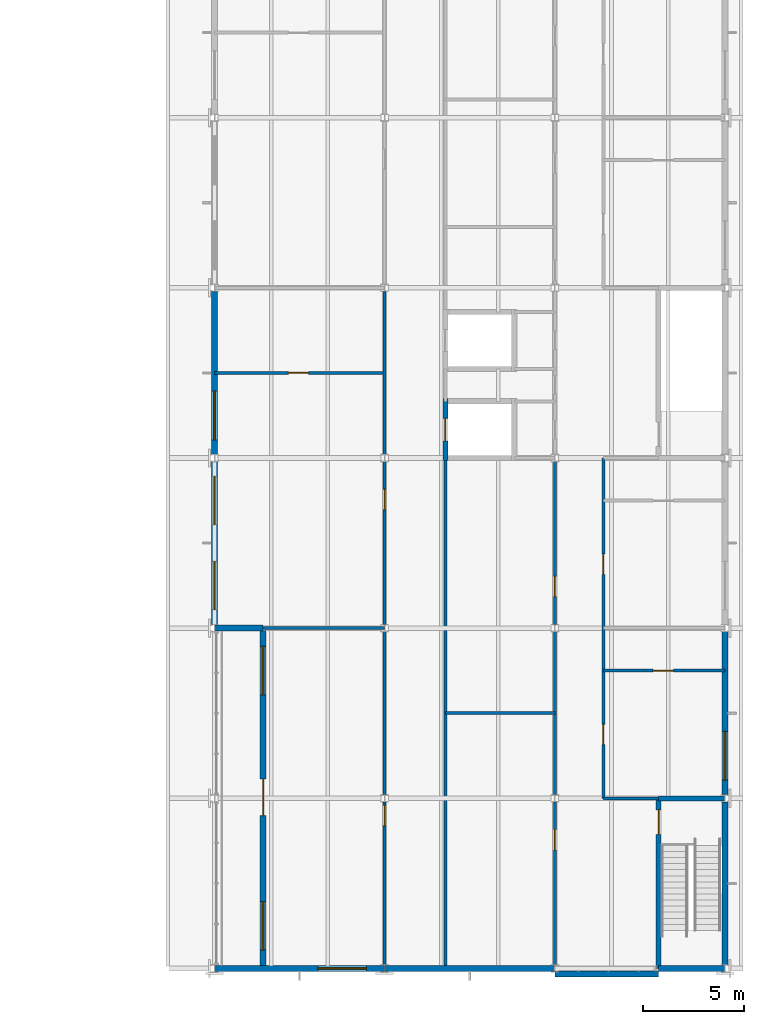
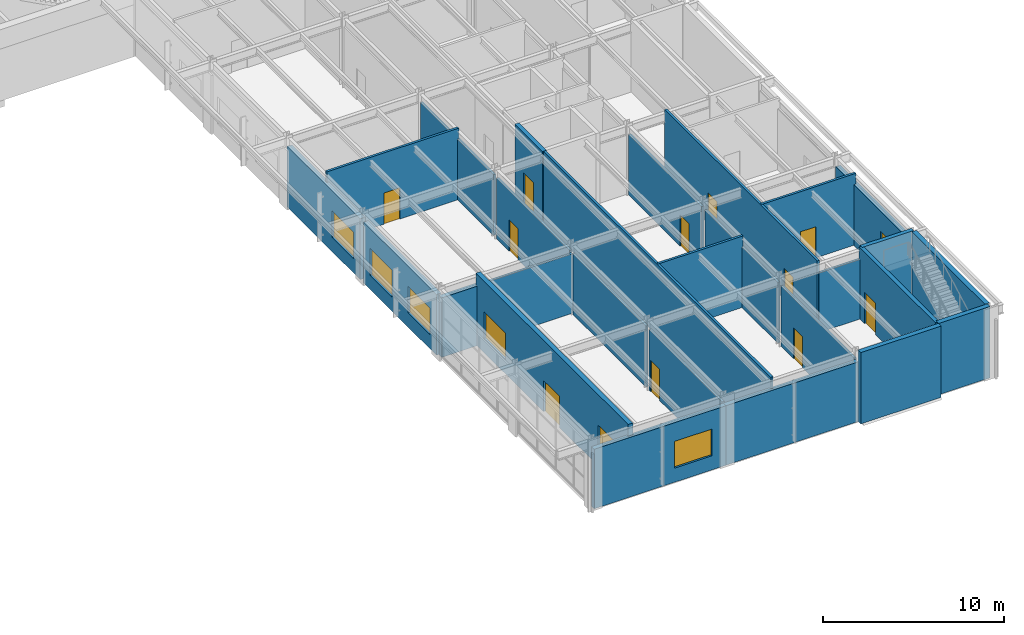
# One storey, part 72 of 116: 27 walls, 11 doors, 7 windows, 18 openings.
"""IFC4 building model written with IfcOpenShell, lengths in metres."""

from ifc_helpers import new_model, si_unit, direction, frame, frame_2d, origin, place, context, subcontext, project, spatial, rectangle, extrude, material, layer, layer_set, type_object, element, fill, save


model = new_model("IFC4")

# Units and contexts
model_context = context("Model", 3, precision=1e-05, world=origin(), true_north=direction((0.0, 1.0)))
body_context = subcontext(model_context, "Body", "Model", "MODEL_VIEW")
ifc_project = project(units=[si_unit("LENGTHUNIT", "METRE"), si_unit("AREAUNIT", "SQUARE_METRE"), si_unit("VOLUMEUNIT", "CUBIC_METRE"), si_unit("PLANEANGLEUNIT", "RADIAN"), si_unit("MASSUNIT", "GRAM", prefix="KILO")], contexts=[model_context])

# Site, building, storey
site_placement = place(None, origin())
site = spatial("IfcSite", under=ifc_project, at=site_placement, CompositionType="ELEMENT")
building_placement = place(site_placement, origin())
building = spatial("IfcBuilding", under=site, at=building_placement, Name="Ljudholm Concert House", CompositionType="ELEMENT")
storey_placement = place(building_placement, frame((0.0, 0.0, 10.199951171875)))
storey = spatial("IfcBuildingStorey", under=building, at=storey_placement, Name="L02", CompositionType="ELEMENT", Elevation=10.199951171875)

# Wall, opening, door
ifc_material_1 = material(Name="Gypsum board on steel studs", Category="steel")
ifc_layer_1 = layer(ifc_material_1, 0.14990234375)
ifc_layer_set_1 = layer_set([ifc_layer_1], Name="Gypsum board on steel studs")
wall_type_1 = type_object("IfcWallType", Name="GYPSUM PARTITION 150", PredefinedType="PARTITIONING", material=ifc_layer_set_1)
wall_1_placement = place(storey_placement, frame((104.800048828125, 4.177734375, 0.0), z_axis=(0.0, 0.0, 1.0), x_axis=(0.0, 1.0, 0.0)))
wall_1 = element("IfcWall", 1, at=wall_1_placement, inside=storey, type_object=wall_type_1, Name="Partition", PredefinedType="PARTITIONING", context=body_context, shape_type="SweptSolid", body=[
    extrude(rectangle(XDim=8.04443359375, YDim=0.14990234375, at=frame_2d((4.022216796875, 0.0))), origin(), (0.0, 0.0, 1.0), 4.086669921875),
])
opening_1_placement = place(wall_1_placement, frame((6.872314453125, 0.0, 0.0)))
opening_1 = element("IfcOpeningElement", 2, at=opening_1_placement, cuts=wall_1, Name="Opening D-W02-010", PredefinedType="OPENING", context=body_context, shape_type="SweptSolid", body=[
    extrude(rectangle(XDim=1.0, YDim=2.10009765625, at=frame_2d((0.5, 1.050048828125))), frame((0.0, 0.0849609375, 0.0), z_axis=(0.0, -1.0, 0.0), x_axis=(1.0, 0.0, 0.0)), (0.0, 0.0, 1.0), 0.169921875),
])
ifc_material_2 = material(Name="Hollow metal door in steel frame", Category="steel")
door_type_1 = type_object("IfcDoorType", Name="SWING DOOR 1000x2100", OperationType="SINGLE_SWING_LEFT", PredefinedType="DOOR", material=ifc_material_2)
door_1_placement = place(opening_1_placement, origin())
door_1 = element("IfcDoor", 3, at=door_1_placement, inside=storey, type_object=door_type_1, Name="Door", OperationType="SINGLE_SWING_LEFT", OverallHeight=2.10009765625, OverallWidth=1.0, PredefinedType="DOOR", context=body_context, shape_type="SweptSolid", body=[
    extrude(rectangle(XDim=1.0, YDim=2.10009765625, at=frame_2d((0.5, 1.050048828125))), frame((0.0, 0.02490234375, 0.0), z_axis=(0.0, -1.0, 0.0), x_axis=(1.0, 0.0, 0.0)), (0.0, 0.0, 1.0), 0.050048828125),
])
fill(opening_1, door_1)

# Wall
wall_2_placement = place(storey_placement, frame((104.800048828125, 12.577880859375, 0.0), z_axis=(0.0, 0.0, 1.0), x_axis=(0.0, 1.0, 0.0)))
element("IfcWall", 4, at=wall_2_placement, inside=storey, type_object=wall_type_1, Name="Partition", PredefinedType="PARTITIONING", context=body_context, shape_type="SweptSolid", body=[
    extrude(rectangle(XDim=8.04443359375, YDim=0.14990234375, at=frame_2d((4.022216796875, 0.0))), origin(), (0.0, 0.0, 1.0), 4.086669921875),
])

# Wall, opening, door
wall_3_placement = place(storey_placement, frame((104.800048828125, 20.977783203125, 0.0), z_axis=(0.0, 0.0, 1.0), x_axis=(0.0, 1.0, 0.0)))
wall_3 = element("IfcWall", 5, at=wall_3_placement, inside=storey, type_object=wall_type_1, Name="Partition", PredefinedType="PARTITIONING", context=body_context, shape_type="SweptSolid", body=[
    extrude(rectangle(XDim=8.04443359375, YDim=0.14990234375, at=frame_2d((4.022216796875, 0.0))), origin(), (0.0, 0.0, 1.0), 4.086669921875),
])
opening_2_placement = place(wall_3_placement, frame((5.672119140625, 0.0, 0.0)))
opening_2 = element("IfcOpeningElement", 6, at=opening_2_placement, cuts=wall_3, Name="Opening D-W02-011", PredefinedType="OPENING", context=body_context, shape_type="SweptSolid", body=[
    extrude(rectangle(XDim=1.0, YDim=2.10009765625, at=frame_2d((0.5, 1.050048828125))), frame((0.0, 0.0849609375, 0.0), z_axis=(0.0, -1.0, 0.0), x_axis=(1.0, 0.0, 0.0)), (0.0, 0.0, 1.0), 0.169921875),
])
door_2_placement = place(opening_2_placement, origin())
door_2 = element("IfcDoor", 7, at=door_2_placement, inside=storey, type_object=door_type_1, Name="Door", OperationType="SINGLE_SWING_LEFT", OverallHeight=2.10009765625, OverallWidth=1.0, PredefinedType="DOOR", context=body_context, shape_type="SweptSolid", body=[
    extrude(rectangle(XDim=1.0, YDim=2.10009765625, at=frame_2d((0.5, 1.050048828125))), frame((0.0, 0.02490234375, 0.0), z_axis=(0.0, -1.0, 0.0), x_axis=(1.0, 0.0, 0.0)), (0.0, 0.0, 1.0), 0.050048828125),
])
fill(opening_2, door_2)

# Walls
wall_4_placement = place(storey_placement, frame((104.800048828125, 29.377685546875, 0.0), z_axis=(0.0, 0.0, 1.0), x_axis=(0.0, 1.0, 0.0)))
element("IfcWall", 8, at=wall_4_placement, inside=storey, type_object=wall_type_1, Name="Partition", PredefinedType="PARTITIONING", context=body_context, shape_type="SweptSolid", body=[
    extrude(rectangle(XDim=8.04443359375, YDim=0.14990234375, at=frame_2d((4.022216796875, 0.0))), origin(), (0.0, 0.0, 1.0), 4.086669921875),
])
wall_5_placement = place(storey_placement, frame((107.800048828125, 4.0, 0.0), z_axis=(0.0, 0.0, 1.0), x_axis=(0.0, 1.0, 0.0)))
element("IfcWall", 9, at=wall_5_placement, inside=storey, type_object=wall_type_1, Name="Partition", PredefinedType="PARTITIONING", context=body_context, shape_type="SweptSolid", body=[
    extrude(rectangle(XDim=25.199951171875, YDim=0.14990234375, at=frame_2d((12.60009765625, 0.0))), origin(), (0.0, 0.0, 1.0), 4.800048828125),
])

# Wall, opening, door
wall_6_placement = place(storey_placement, frame((113.199951171875, 4.177734375, 0.0), z_axis=(0.0, 0.0, 1.0), x_axis=(0.0, 1.0, 0.0)))
wall_6 = element("IfcWall", 10, at=wall_6_placement, inside=storey, type_object=wall_type_1, Name="Partition", PredefinedType="PARTITIONING", context=body_context, shape_type="SweptSolid", body=[
    extrude(rectangle(XDim=8.04443359375, YDim=0.14990234375, at=frame_2d((4.022216796875, 0.0))), origin(), (0.0, 0.0, 1.0), 4.086669921875),
])
opening_3_placement = place(wall_6_placement, frame((5.672119140625, 0.0, 0.0)))
opening_3 = element("IfcOpeningElement", 11, at=opening_3_placement, cuts=wall_6, Name="Opening D-W02-023", PredefinedType="OPENING", context=body_context, shape_type="SweptSolid", body=[
    extrude(rectangle(XDim=1.0, YDim=2.10009765625, at=frame_2d((0.5, 1.050048828125))), frame((0.0, 0.0849609375, 0.0), z_axis=(0.0, -1.0, 0.0), x_axis=(1.0, 0.0, 0.0)), (0.0, 0.0, 1.0), 0.169921875),
])
door_3_placement = place(opening_3_placement, origin())
door_3 = element("IfcDoor", 12, at=door_3_placement, inside=storey, type_object=door_type_1, Name="Door", OperationType="SINGLE_SWING_RIGHT", OverallHeight=2.10009765625, OverallWidth=1.0, PredefinedType="DOOR", context=body_context, shape_type="SweptSolid", body=[
    extrude(rectangle(XDim=1.0, YDim=2.10009765625, at=frame_2d((0.5, 1.050048828125))), frame((0.0, 0.02490234375, 0.0), z_axis=(0.0, -1.0, 0.0), x_axis=(1.0, 0.0, 0.0)), (0.0, 0.0, 1.0), 0.050048828125),
])
fill(opening_3, door_3)

# Wall
wall_7_placement = place(storey_placement, frame((113.199951171875, 12.577880859375, 0.0), z_axis=(0.0, 0.0, 1.0), x_axis=(0.0, 1.0, 0.0)))
element("IfcWall", 13, at=wall_7_placement, inside=storey, type_object=wall_type_1, Name="Partition", PredefinedType="PARTITIONING", context=body_context, shape_type="SweptSolid", body=[
    extrude(rectangle(XDim=8.04443359375, YDim=0.14990234375, at=frame_2d((4.022216796875, 0.0))), origin(), (0.0, 0.0, 1.0), 4.086669921875),
])

# Wall, opening, door
wall_8_placement = place(storey_placement, frame((113.199951171875, 20.977783203125, 0.0), z_axis=(0.0, 0.0, 1.0), x_axis=(0.0, 1.0, 0.0)))
wall_8 = element("IfcWall", 14, at=wall_8_placement, inside=storey, type_object=wall_type_1, Name="Partition", PredefinedType="PARTITIONING", context=body_context, shape_type="SweptSolid", body=[
    extrude(rectangle(XDim=8.04443359375, YDim=0.14990234375, at=frame_2d((4.022216796875, 0.0))), origin(), (0.0, 0.0, 1.0), 4.086669921875),
])
opening_4_placement = place(wall_8_placement, frame((1.372314453125, 0.0, 0.0)))
opening_4 = element("IfcOpeningElement", 15, at=opening_4_placement, cuts=wall_8, Name="Opening D-W02-024", PredefinedType="OPENING", context=body_context, shape_type="SweptSolid", body=[
    extrude(rectangle(XDim=1.0, YDim=2.10009765625, at=frame_2d((0.5, 1.050048828125))), frame((0.0, 0.0849609375, 0.0), z_axis=(0.0, -1.0, 0.0), x_axis=(1.0, 0.0, 0.0)), (0.0, 0.0, 1.0), 0.169921875),
])
door_4_placement = place(opening_4_placement, origin())
door_4 = element("IfcDoor", 16, at=door_4_placement, inside=storey, type_object=door_type_1, Name="Door", OperationType="SINGLE_SWING_LEFT", OverallHeight=2.10009765625, OverallWidth=1.0, PredefinedType="DOOR", context=body_context, shape_type="SweptSolid", body=[
    extrude(rectangle(XDim=1.0, YDim=2.10009765625, at=frame_2d((0.5, 1.050048828125))), frame((0.0, 0.02490234375, 0.0), z_axis=(0.0, -1.0, 0.0), x_axis=(1.0, 0.0, 0.0)), (0.0, 0.0, 1.0), 0.050048828125),
])
fill(opening_4, door_4)

# Wall, openings, doors
wall_9_placement = place(storey_placement, frame((115.60009765625, 12.39990234375, 0.0), z_axis=(0.0, 0.0, 1.0), x_axis=(0.0, 1.0, 0.0)))
wall_9 = element("IfcWall", 17, at=wall_9_placement, inside=storey, type_object=wall_type_1, Name="Partition", PredefinedType="PARTITIONING", context=body_context, shape_type="SweptSolid", body=[
    extrude(rectangle(XDim=16.800048828125, YDim=0.14990234375, at=frame_2d((8.39990234375, 0.0))), origin(), (0.0, 0.0, 1.0), 4.800048828125),
])
opening_5_placement = place(wall_9_placement, frame((2.64990234375, 0.0, 0.0)))
opening_5 = element("IfcOpeningElement", 18, at=opening_5_placement, cuts=wall_9, Name="Opening D-W02-034", PredefinedType="OPENING", context=body_context, shape_type="SweptSolid", body=[
    extrude(rectangle(XDim=1.0, YDim=2.10009765625, at=frame_2d((0.5, 1.050048828125))), frame((0.0, 0.0849609375, 0.0), z_axis=(0.0, -1.0, 0.0), x_axis=(1.0, 0.0, 0.0)), (0.0, 0.0, 1.0), 0.169921875),
])
opening_6_placement = place(wall_9_placement, frame((11.050048828125, 0.0, 0.0)))
opening_6 = element("IfcOpeningElement", 19, at=opening_6_placement, cuts=wall_9, Name="Opening D-W02-036", PredefinedType="OPENING", context=body_context, shape_type="SweptSolid", body=[
    extrude(rectangle(XDim=1.0, YDim=2.10009765625, at=frame_2d((0.5, 1.050048828125))), frame((0.0, 0.0849609375, 0.0), z_axis=(0.0, -1.0, 0.0), x_axis=(1.0, 0.0, 0.0)), (0.0, 0.0, 1.0), 0.169921875),
])
door_5_placement = place(opening_5_placement, frame((1.0, 0.0, 0.0), z_axis=(0.0, 0.0, 1.0), x_axis=(-1.0, 0.0, 0.0)))
door_5 = element("IfcDoor", 20, at=door_5_placement, inside=storey, type_object=door_type_1, Name="Door", OperationType="SINGLE_SWING_RIGHT", OverallHeight=2.10009765625, OverallWidth=1.0, PredefinedType="DOOR", context=body_context, shape_type="SweptSolid", body=[
    extrude(rectangle(XDim=1.0, YDim=2.10009765625, at=frame_2d((0.5, 1.050048828125))), frame((0.0, 0.02490234375, 0.0), z_axis=(0.0, -1.0, 0.0), x_axis=(1.0, 0.0, 0.0)), (0.0, 0.0, 1.0), 0.050048828125),
])
fill(opening_5, door_5)
door_6_placement = place(opening_6_placement, frame((1.0, 0.0, 0.0), z_axis=(0.0, 0.0, 1.0), x_axis=(-1.0, 0.0, 0.0)))
door_6 = element("IfcDoor", 21, at=door_6_placement, inside=storey, type_object=door_type_1, Name="Door", OperationType="SINGLE_SWING_LEFT", OverallHeight=2.10009765625, OverallWidth=1.0, PredefinedType="DOOR", context=body_context, shape_type="SweptSolid", body=[
    extrude(rectangle(XDim=1.0, YDim=2.10009765625, at=frame_2d((0.5, 1.050048828125))), frame((0.0, 0.02490234375, 0.0), z_axis=(0.0, -1.0, 0.0), x_axis=(1.0, 0.0, 0.0)), (0.0, 0.0, 1.0), 0.050048828125),
])
fill(opening_6, door_6)

# Walls
wall_10_placement = place(storey_placement, frame((115.60009765625, 12.39990234375, 0.0), z_axis=(0.0, 0.0, 1.0), x_axis=(1.0, 0.0, 0.0)))
element("IfcWall", 22, at=wall_10_placement, inside=storey, type_object=wall_type_1, Name="Partition", PredefinedType="PARTITIONING", context=body_context, shape_type="SweptSolid", body=[
    extrude(rectangle(XDim=2.724853515625, YDim=0.14990234375, at=frame_2d((1.3623046875, 0.0))), origin(), (0.0, 0.0, 1.0), 4.008056640625),
])
wall_11_placement = place(storey_placement, frame((107.800048828125, 16.60009765625, 0.0), z_axis=(0.0, 0.0, 1.0), x_axis=(1.0, 0.0, 0.0)))
element("IfcWall", 23, at=wall_11_placement, inside=storey, type_object=wall_type_1, Name="Partition", PredefinedType="PARTITIONING", context=body_context, shape_type="SweptSolid", body=[
    extrude(rectangle(XDim=5.39990234375, YDim=0.14990234375, at=frame_2d((2.699951171875, 0.0))), origin(), (0.0, 0.0, 1.0), 4.800048828125),
])

# Wall, opening, door
wall_12_placement = place(storey_placement, frame((115.60009765625, 18.699951171875, 0.0), z_axis=(0.0, 0.0, 1.0), x_axis=(1.0, 0.0, 0.0)))
wall_12 = element("IfcWall", 24, at=wall_12_placement, inside=storey, type_object=wall_type_1, Name="Partition", PredefinedType="PARTITIONING", context=body_context, shape_type="SweptSolid", body=[
    extrude(rectangle(XDim=6.0, YDim=0.14990234375, at=frame_2d((3.0, 0.0))), origin(), (0.0, 0.0, 1.0), 4.800048828125),
])
opening_7_placement = place(wall_12_placement, frame((2.449951171875, 0.0, 0.0)))
opening_7 = element("IfcOpeningElement", 25, at=opening_7_placement, cuts=wall_12, Name="Opening D-W02-035", PredefinedType="OPENING", context=body_context, shape_type="SweptSolid", body=[
    extrude(rectangle(XDim=1.0, YDim=2.10009765625, at=frame_2d((0.5, 1.050048828125))), frame((0.0, 0.0849609375, 0.0), z_axis=(0.0, -1.0, 0.0), x_axis=(1.0, 0.0, 0.0)), (0.0, 0.0, 1.0), 0.169921875),
])
door_7_placement = place(opening_7_placement, origin())
door_7 = element("IfcDoor", 26, at=door_7_placement, inside=storey, type_object=door_type_1, Name="Door", OperationType="SINGLE_SWING_RIGHT", OverallHeight=2.10009765625, OverallWidth=1.0, PredefinedType="DOOR", context=body_context, shape_type="SweptSolid", body=[
    extrude(rectangle(XDim=1.0, YDim=2.10009765625, at=frame_2d((0.5, 1.050048828125))), frame((0.0, 0.02490234375, 0.0), z_axis=(0.0, -1.0, 0.0), x_axis=(1.0, 0.0, 0.0)), (0.0, 0.0, 1.0), 0.050048828125),
])
fill(opening_7, door_7)

# Wall
wall_13_placement = place(storey_placement, frame((98.800048828125, 20.800048828125, 0.0), z_axis=(0.0, 0.0, 1.0), x_axis=(1.0, 0.0, 0.0)))
element("IfcWall", 27, at=wall_13_placement, inside=storey, type_object=wall_type_1, Name="Partition", PredefinedType="PARTITIONING", context=body_context, shape_type="SweptSolid", body=[
    extrude(rectangle(XDim=5.994384765625, YDim=0.14990234375, at=frame_2d((2.9970703125, 0.0))), origin(), (0.0, 0.0, 1.0), 4.008056640625),
])

# Wall, opening, door
wall_14_placement = place(storey_placement, frame((96.39990234375, 33.39990234375, 0.0), z_axis=(0.0, 0.0, 1.0), x_axis=(1.0, 0.0, 0.0)))
wall_14 = element("IfcWall", 28, at=wall_14_placement, inside=storey, type_object=wall_type_1, Name="Partition", PredefinedType="PARTITIONING", context=body_context, shape_type="SweptSolid", body=[
    extrude(rectangle(XDim=8.400146484375, YDim=0.14990234375, at=frame_2d((4.2001953125, 0.0))), origin(), (0.0, 0.0, 1.0), 4.800048828125),
])
opening_8_placement = place(wall_14_placement, frame((3.64990234375, 0.0, 0.0)))
opening_8 = element("IfcOpeningElement", 29, at=opening_8_placement, cuts=wall_14, Name="Opening D-W02-012", PredefinedType="OPENING", context=body_context, shape_type="SweptSolid", body=[
    extrude(rectangle(XDim=1.0, YDim=2.10009765625, at=frame_2d((0.5, 1.050048828125))), frame((0.0, 0.0849609375, 0.0), z_axis=(0.0, -1.0, 0.0), x_axis=(1.0, 0.0, 0.0)), (0.0, 0.0, 1.0), 0.169921875),
])
door_8_placement = place(opening_8_placement, origin())
door_8 = element("IfcDoor", 30, at=door_8_placement, inside=storey, type_object=door_type_1, Name="Door", OperationType="SINGLE_SWING_LEFT", OverallHeight=2.10009765625, OverallWidth=1.0, PredefinedType="DOOR", context=body_context, shape_type="SweptSolid", body=[
    extrude(rectangle(XDim=1.0, YDim=2.10009765625, at=frame_2d((0.5, 1.050048828125))), frame((0.0, 0.02490234375, 0.0), z_axis=(0.0, -1.0, 0.0), x_axis=(1.0, 0.0, 0.0)), (0.0, 0.0, 1.0), 0.050048828125),
])
fill(opening_8, door_8)

# Wall, openings, windows
ifc_material_3 = material(Name="Precast concrete 5,000 psi", Category="concrete")
ifc_layer_2 = layer(ifc_material_3, 0.300048828125)
ifc_layer_set_2 = layer_set([ifc_layer_2], Name="Precast concrete 5,000 psi")
wall_type_2 = type_object("IfcWallType", Name="PRECAST PANEL WALL 300", PredefinedType="SOLIDWALL", material=ifc_layer_set_2)
wall_15_placement = place(storey_placement, frame((96.39990234375, 20.977783203125, 0.0), z_axis=(0.0, 0.0, 1.0), x_axis=(0.0, 1.0, 0.0)))
wall_15 = element("IfcWall", 31, at=wall_15_placement, inside=storey, type_object=wall_type_2, Name="Facade wall", PredefinedType="SOLIDWALL", context=body_context, shape_type="SweptSolid", body=[
    extrude(rectangle(XDim=8.04443359375, YDim=0.300048828125, at=frame_2d((4.022216796875, 0.0))), origin(), (0.0, 0.0, 1.0), 4.086669921875),
])
opening_9_placement = place(wall_15_placement, frame((0.72216796875, 0.0, 0.949951171875)))
opening_9 = element("IfcOpeningElement", 32, at=opening_9_placement, cuts=wall_15, Name="Opening X-W02-002", PredefinedType="OPENING", context=body_context, shape_type="SweptSolid", body=[
    extrude(rectangle(XDim=2.39990234375, YDim=1.800048828125, at=frame_2d((1.199951171875, 0.89990234375))), frame((0.0, 0.159912109375, 0.0), z_axis=(0.0, -1.0, 0.0), x_axis=(1.0, 0.0, 0.0)), (0.0, 0.0, 1.0), 0.320068359375),
])
opening_10_placement = place(wall_15_placement, frame((4.922119140625, 0.0, 0.949951171875)))
opening_10 = element("IfcOpeningElement", 33, at=opening_10_placement, cuts=wall_15, Name="Opening X-W02-003", PredefinedType="OPENING", context=body_context, shape_type="SweptSolid", body=[
    extrude(rectangle(XDim=2.39990234375, YDim=1.800048828125, at=frame_2d((1.199951171875, 0.89990234375))), frame((0.0, 0.159912109375, 0.0), z_axis=(0.0, -1.0, 0.0), x_axis=(1.0, 0.0, 0.0)), (0.0, 0.0, 1.0), 0.320068359375),
])
ifc_material_4 = material(Name="Aluminium frame, impact glazing", Category="aluminium")
window_type = type_object("IfcWindowType", Name="CASEMENT WINDOW 2400x1800", PartitioningType="DOUBLE_PANEL_VERTICAL", PredefinedType="WINDOW", material=ifc_material_4)
window_1_placement = place(opening_9_placement, origin())
window_1 = element("IfcWindow", 34, at=window_1_placement, inside=storey, type_object=window_type, Name="Window", OverallHeight=1.800048828125, OverallWidth=2.39990234375, PartitioningType="DOUBLE_PANEL_VERTICAL", PredefinedType="WINDOW", context=body_context, shape_type="SweptSolid", body=[
    extrude(rectangle(XDim=2.39990234375, YDim=1.800048828125, at=frame_2d((1.199951171875, 0.89990234375))), frame((0.0, 0.030029296875, 0.0), z_axis=(0.0, -1.0, 0.0), x_axis=(1.0, 0.0, 0.0)), (0.0, 0.0, 1.0), 0.06005859375),
])
fill(opening_9, window_1)
window_2_placement = place(opening_10_placement, origin())
window_2 = element("IfcWindow", 35, at=window_2_placement, inside=storey, type_object=window_type, Name="Window", OverallHeight=1.800048828125, OverallWidth=2.39990234375, PartitioningType="DOUBLE_PANEL_VERTICAL", PredefinedType="WINDOW", context=body_context, shape_type="SweptSolid", body=[
    extrude(rectangle(XDim=2.39990234375, YDim=1.800048828125, at=frame_2d((1.199951171875, 0.89990234375))), frame((0.0, 0.030029296875, 0.0), z_axis=(0.0, -1.0, 0.0), x_axis=(1.0, 0.0, 0.0)), (0.0, 0.0, 1.0), 0.06005859375),
])
fill(opening_10, window_2)

# Wall, opening, window
wall_16_placement = place(storey_placement, frame((96.39990234375, 29.377685546875, 0.0), z_axis=(0.0, 0.0, 1.0), x_axis=(0.0, 1.0, 0.0)))
wall_16 = element("IfcWall", 36, at=wall_16_placement, inside=storey, type_object=wall_type_2, Name="Facade wall", PredefinedType="SOLIDWALL", context=body_context, shape_type="SweptSolid", body=[
    extrude(rectangle(XDim=8.04443359375, YDim=0.300048828125, at=frame_2d((4.022216796875, 0.0))), origin(), (0.0, 0.0, 1.0), 4.086669921875),
])
opening_11_placement = place(wall_16_placement, frame((0.72216796875, 0.0, 0.949951171875)))
opening_11 = element("IfcOpeningElement", 37, at=opening_11_placement, cuts=wall_16, Name="Opening X-W02-004", PredefinedType="OPENING", context=body_context, shape_type="SweptSolid", body=[
    extrude(rectangle(XDim=2.39990234375, YDim=1.800048828125, at=frame_2d((1.199951171875, 0.89990234375))), frame((0.0, 0.159912109375, 0.0), z_axis=(0.0, -1.0, 0.0), x_axis=(1.0, 0.0, 0.0)), (0.0, 0.0, 1.0), 0.320068359375),
])
window_3_placement = place(opening_11_placement, origin())
window_3 = element("IfcWindow", 38, at=window_3_placement, inside=storey, type_object=window_type, Name="Window", OverallHeight=1.800048828125, OverallWidth=2.39990234375, PartitioningType="DOUBLE_PANEL_VERTICAL", PredefinedType="WINDOW", context=body_context, shape_type="SweptSolid", body=[
    extrude(rectangle(XDim=2.39990234375, YDim=1.800048828125, at=frame_2d((1.199951171875, 0.89990234375))), frame((0.0, 0.030029296875, 0.0), z_axis=(0.0, -1.0, 0.0), x_axis=(1.0, 0.0, 0.0)), (0.0, 0.0, 1.0), 0.06005859375),
])
fill(opening_11, window_3)

wall_17_placement = place(storey_placement, frame((121.60009765625, 12.577880859375, 0.0), z_axis=(0.0, 0.0, 1.0), x_axis=(0.0, 1.0, 0.0)))
wall_17 = element("IfcWall", 39, at=wall_17_placement, inside=storey, type_object=wall_type_2, Name="Facade wall", PredefinedType="SOLIDWALL", context=body_context, shape_type="SweptSolid", body=[
    extrude(rectangle(XDim=8.04443359375, YDim=0.300048828125, at=frame_2d((4.022216796875, 0.0))), origin(), (0.0, 0.0, 1.0), 4.086669921875),
])
opening_12_placement = place(wall_17_placement, frame((0.72216796875, 0.0, 0.949951171875)))
opening_12 = element("IfcOpeningElement", 40, at=opening_12_placement, cuts=wall_17, Name="Opening X-W02-008", PredefinedType="OPENING", context=body_context, shape_type="SweptSolid", body=[
    extrude(rectangle(XDim=2.39990234375, YDim=1.800048828125, at=frame_2d((1.199951171875, 0.89990234375))), frame((0.0, 0.159912109375, 0.0), z_axis=(0.0, -1.0, 0.0), x_axis=(1.0, 0.0, 0.0)), (0.0, 0.0, 1.0), 0.320068359375),
])
window_4_placement = place(opening_12_placement, origin())
window_4 = element("IfcWindow", 41, at=window_4_placement, inside=storey, type_object=window_type, Name="Window", OverallHeight=1.800048828125, OverallWidth=2.39990234375, PartitioningType="DOUBLE_PANEL_VERTICAL", PredefinedType="WINDOW", context=body_context, shape_type="SweptSolid", body=[
    extrude(rectangle(XDim=2.39990234375, YDim=1.800048828125, at=frame_2d((1.199951171875, 0.89990234375))), frame((0.0, 0.030029296875, 0.0), z_axis=(0.0, -1.0, 0.0), x_axis=(1.0, 0.0, 0.0)), (0.0, 0.0, 1.0), 0.06005859375),
])
fill(opening_12, window_4)

wall_18_placement = place(storey_placement, frame((96.405517578125, 4.0, 0.0), z_axis=(0.0, 0.0, 1.0), x_axis=(1.0, 0.0, 0.0)))
wall_18 = element("IfcWall", 42, at=wall_18_placement, inside=storey, type_object=wall_type_2, Name="Facade wall", PredefinedType="SOLIDWALL", context=body_context, shape_type="SweptSolid", body=[
    extrude(rectangle(XDim=8.400146484375, YDim=0.300048828125, at=frame_2d((4.2001953125, 0.0))), origin(), (0.0, 0.0, 1.0), 4.008056640625),
])
opening_13_placement = place(wall_18_placement, frame((5.094482421875, 0.0, 0.949951171875)))
opening_13 = element("IfcOpeningElement", 43, at=opening_13_placement, cuts=wall_18, Name="Opening X-W02-001", PredefinedType="OPENING", context=body_context, shape_type="SweptSolid", body=[
    extrude(rectangle(XDim=2.39990234375, YDim=1.800048828125, at=frame_2d((1.199951171875, 0.89990234375))), frame((0.0, 0.159912109375, 0.0), z_axis=(0.0, -1.0, 0.0), x_axis=(1.0, 0.0, 0.0)), (0.0, 0.0, 1.0), 0.320068359375),
])
window_5_placement = place(opening_13_placement, origin())
window_5 = element("IfcWindow", 44, at=window_5_placement, inside=storey, type_object=window_type, Name="Window", OverallHeight=1.800048828125, OverallWidth=2.39990234375, PartitioningType="DOUBLE_PANEL_VERTICAL", PredefinedType="WINDOW", context=body_context, shape_type="SweptSolid", body=[
    extrude(rectangle(XDim=2.39990234375, YDim=1.800048828125, at=frame_2d((1.199951171875, 0.89990234375))), frame((0.0, 0.030029296875, 0.0), z_axis=(0.0, -1.0, 0.0), x_axis=(1.0, 0.0, 0.0)), (0.0, 0.0, 1.0), 0.06005859375),
])
fill(opening_13, window_5)

# Walls
wall_19_placement = place(storey_placement, frame((104.79443359375, 4.0, 0.0), z_axis=(0.0, 0.0, 1.0), x_axis=(1.0, 0.0, 0.0)))
element("IfcWall", 45, at=wall_19_placement, inside=storey, type_object=wall_type_2, Name="Facade wall", PredefinedType="SOLIDWALL", context=body_context, shape_type="SweptSolid", body=[
    extrude(rectangle(XDim=8.39990234375, YDim=0.300048828125, at=frame_2d((4.199951171875, 0.0))), origin(), (0.0, 0.0, 1.0), 4.008056640625),
])
wall_20_placement = place(storey_placement, frame((113.20556640625, 3.720458984375, 0.0), z_axis=(0.0, 0.0, 1.0), x_axis=(1.0, 0.0, 0.0)))
element("IfcWall", 46, at=wall_20_placement, inside=storey, type_object=wall_type_2, Name="Facade wall (braced bay)", PredefinedType="SOLIDWALL", context=body_context, shape_type="SweptSolid", body=[
    extrude(rectangle(XDim=5.119384765625, YDim=0.300048828125, at=frame_2d((2.5595703125, 0.0))), origin(), (0.0, 0.0, 1.0), 4.800048828125),
])

# Wall, openings, windows, door
wall_21_placement = place(storey_placement, frame((98.800048828125, 4.0, 0.0), z_axis=(0.0, 0.0, 1.0), x_axis=(0.0, 1.0, 0.0)))
wall_21 = element("IfcWall", 47, at=wall_21_placement, inside=storey, type_object=wall_type_2, Name="Loggia wall", PredefinedType="SOLIDWALL", context=body_context, shape_type="SweptSolid", body=[
    extrude(rectangle(XDim=16.800048828125, YDim=0.300048828125, at=frame_2d((8.39990234375, 0.0))), origin(), (0.0, 0.0, 1.0), 4.800048828125),
])
opening_14_placement = place(wall_21_placement, frame((7.550048828125, 0.0, 0.0)))
opening_14 = element("IfcOpeningElement", 48, at=opening_14_placement, cuts=wall_21, Name="Opening D-W02-044", PredefinedType="OPENING", context=body_context, shape_type="SweptSolid", body=[
    extrude(rectangle(XDim=1.800048828125, YDim=2.10009765625, at=frame_2d((0.89990234375, 1.050048828125))), frame((0.0, 0.159912109375, 0.0), z_axis=(0.0, -1.0, 0.0), x_axis=(1.0, 0.0, 0.0)), (0.0, 0.0, 1.0), 0.320068359375),
])
opening_15_placement = place(wall_21_placement, frame((0.89990234375, 0.0, 0.949951171875)))
opening_15 = element("IfcOpeningElement", 49, at=opening_15_placement, cuts=wall_21, Name="Opening X-W02-014", PredefinedType="OPENING", context=body_context, shape_type="SweptSolid", body=[
    extrude(rectangle(XDim=2.39990234375, YDim=1.800048828125, at=frame_2d((1.199951171875, 0.89990234375))), frame((0.0, 0.159912109375, 0.0), z_axis=(0.0, -1.0, 0.0), x_axis=(1.0, 0.0, 0.0)), (0.0, 0.0, 1.0), 0.320068359375),
])
opening_16_placement = place(wall_21_placement, frame((13.5, 0.0, 0.949951171875)))
opening_16 = element("IfcOpeningElement", 50, at=opening_16_placement, cuts=wall_21, Name="Opening X-W02-015", PredefinedType="OPENING", context=body_context, shape_type="SweptSolid", body=[
    extrude(rectangle(XDim=2.39990234375, YDim=1.800048828125, at=frame_2d((1.199951171875, 0.89990234375))), frame((0.0, 0.159912109375, 0.0), z_axis=(0.0, -1.0, 0.0), x_axis=(1.0, 0.0, 0.0)), (0.0, 0.0, 1.0), 0.320068359375),
])
window_6_placement = place(opening_15_placement, origin())
window_6 = element("IfcWindow", 51, at=window_6_placement, inside=storey, type_object=window_type, Name="Window", OverallHeight=1.800048828125, OverallWidth=2.39990234375, PartitioningType="DOUBLE_PANEL_VERTICAL", PredefinedType="WINDOW", context=body_context, shape_type="SweptSolid", body=[
    extrude(rectangle(XDim=2.39990234375, YDim=1.800048828125, at=frame_2d((1.199951171875, 0.89990234375))), frame((0.0, 0.030029296875, 0.0), z_axis=(0.0, -1.0, 0.0), x_axis=(1.0, 0.0, 0.0)), (0.0, 0.0, 1.0), 0.06005859375),
])
fill(opening_15, window_6)
window_7_placement = place(opening_16_placement, origin())
window_7 = element("IfcWindow", 52, at=window_7_placement, inside=storey, type_object=window_type, Name="Window", OverallHeight=1.800048828125, OverallWidth=2.39990234375, PartitioningType="DOUBLE_PANEL_VERTICAL", PredefinedType="WINDOW", context=body_context, shape_type="SweptSolid", body=[
    extrude(rectangle(XDim=2.39990234375, YDim=1.800048828125, at=frame_2d((1.199951171875, 0.89990234375))), frame((0.0, 0.030029296875, 0.0), z_axis=(0.0, -1.0, 0.0), x_axis=(1.0, 0.0, 0.0)), (0.0, 0.0, 1.0), 0.06005859375),
])
fill(opening_16, window_7)
ifc_material_5 = material(Name="Hollow metal door in steel frame", Category="steel")
door_type_2 = type_object("IfcDoorType", Name="DOUBLE DOOR 1800x2100 EXTERNAL", OperationType="DOUBLE_DOOR_SINGLE_SWING", PredefinedType="DOOR", material=ifc_material_5)
door_9_placement = place(opening_14_placement, origin())
door_9 = element("IfcDoor", 53, at=door_9_placement, inside=storey, type_object=door_type_2, Name="Loggia door", OperationType="DOUBLE_DOOR_SINGLE_SWING", OverallHeight=2.10009765625, OverallWidth=1.800048828125, PredefinedType="DOOR", context=body_context, shape_type="SweptSolid", body=[
    extrude(rectangle(XDim=1.800048828125, YDim=2.10009765625, at=frame_2d((0.89990234375, 1.050048828125))), frame((0.0, 0.02490234375, 0.0), z_axis=(0.0, -1.0, 0.0), x_axis=(1.0, 0.0, 0.0)), (0.0, 0.0, 1.0), 0.050048828125),
])
fill(opening_14, door_9)

# Wall
wall_22_placement = place(storey_placement, frame((96.405517578125, 20.800048828125, 0.0), z_axis=(0.0, 0.0, 1.0), x_axis=(1.0, 0.0, 0.0)))
element("IfcWall", 54, at=wall_22_placement, inside=storey, type_object=wall_type_2, Name="Loggia wall", PredefinedType="SOLIDWALL", context=body_context, shape_type="SweptSolid", body=[
    extrude(rectangle(XDim=2.39453125, YDim=0.300048828125, at=frame_2d((1.197265625, 0.0))), origin(), (0.0, 0.0, 1.0), 4.008056640625),
])

# Wall, opening, door
ifc_material_6 = material(Name="Concrete 6,500 psi", Category="concrete")
ifc_layer_3 = layer(ifc_material_6, 0.25)
ifc_layer_set_3 = layer_set([ifc_layer_3], Name="Concrete 6,500 psi")
wall_type_3 = type_object("IfcWallType", Name="RC CORE WALL 250", PredefinedType="SHEAR", material=ifc_layer_set_3)
wall_23_placement = place(storey_placement, frame((118.324951171875, 4.0, 0.0), z_axis=(0.0, 0.0, 1.0), x_axis=(0.0, 1.0, 0.0)))
wall_23 = element("IfcWall", 55, at=wall_23_placement, inside=storey, type_object=wall_type_3, Name="Stair core wall", PredefinedType="SHEAR", context=body_context, shape_type="SweptSolid", body=[
    extrude(rectangle(XDim=8.39990234375, YDim=0.25, at=frame_2d((4.199951171875, 0.0))), origin(), (0.0, 0.0, 1.0), 4.800048828125),
])
opening_17_placement = place(wall_23_placement, frame((6.625, 0.0, 0.0)))
opening_17 = element("IfcOpeningElement", 56, at=opening_17_placement, cuts=wall_23, Name="Opening D-W02-003", PredefinedType="OPENING", context=body_context, shape_type="SweptSolid", body=[
    extrude(rectangle(XDim=1.199951171875, YDim=2.10009765625, at=frame_2d((0.60009765625, 1.050048828125))), frame((0.0, 0.135009765625, 0.0), z_axis=(0.0, -1.0, 0.0), x_axis=(1.0, 0.0, 0.0)), (0.0, 0.0, 1.0), 0.27001953125),
])
ifc_material_7 = material(Name="Hollow metal door in steel frame", Category="steel")
door_type_3 = type_object("IfcDoorType", Name="SWING DOOR 1200x2100", OperationType="SINGLE_SWING_LEFT", PredefinedType="DOOR", material=ifc_material_7)
door_10_placement = place(opening_17_placement, origin())
door_10 = element("IfcDoor", 57, at=door_10_placement, inside=storey, type_object=door_type_3, Name="Door", OperationType="SINGLE_SWING_RIGHT", OverallHeight=2.10009765625, OverallWidth=1.199951171875, PredefinedType="DOOR", context=body_context, shape_type="SweptSolid", body=[
    extrude(rectangle(XDim=1.199951171875, YDim=2.10009765625, at=frame_2d((0.60009765625, 1.050048828125))), frame((0.0, 0.02490234375, 0.0), z_axis=(0.0, -1.0, 0.0), x_axis=(1.0, 0.0, 0.0)), (0.0, 0.0, 1.0), 0.050048828125),
])
fill(opening_17, door_10)

# Walls
wall_24_placement = place(storey_placement, frame((118.324951171875, 12.39990234375, 0.0), z_axis=(0.0, 0.0, 1.0), x_axis=(1.0, 0.0, 0.0)))
element("IfcWall", 58, at=wall_24_placement, inside=storey, type_object=wall_type_3, Name="Stair core wall", PredefinedType="SHEAR", context=body_context, shape_type="SweptSolid", body=[
    extrude(rectangle(XDim=3.26953125, YDim=0.25, at=frame_2d((1.634765625, 0.0))), origin(), (0.0, 0.0, 1.0), 4.800048828125),
])
ifc_material_8 = material(Name="Concrete 6,500 psi", Category="concrete")
ifc_layer_4 = layer(ifc_material_8, 0.300048828125)
ifc_layer_set_4 = layer_set([ifc_layer_4], Name="Concrete 6,500 psi")
wall_type_4 = type_object("IfcWallType", Name="RC CORE WALL 300", PredefinedType="SHEAR", material=ifc_layer_set_4)
wall_25_placement = place(storey_placement, frame((121.60009765625, 4.177734375, 0.0), z_axis=(0.0, 0.0, 1.0), x_axis=(0.0, 1.0, 0.0)))
element("IfcWall", 59, at=wall_25_placement, inside=storey, type_object=wall_type_4, Name="Stair core wall", PredefinedType="SHEAR", context=body_context, shape_type="SweptSolid", body=[
    extrude(rectangle(XDim=8.04443359375, YDim=0.300048828125, at=frame_2d((4.022216796875, 0.0))), origin(), (0.0, 0.0, 1.0), 4.800048828125),
])
wall_26_placement = place(storey_placement, frame((118.324951171875, 4.0, 0.0), z_axis=(0.0, 0.0, 1.0), x_axis=(1.0, 0.0, 0.0)))
element("IfcWall", 60, at=wall_26_placement, inside=storey, type_object=wall_type_4, Name="Stair core wall", PredefinedType="SHEAR", context=body_context, shape_type="SweptSolid", body=[
    extrude(rectangle(XDim=3.26953125, YDim=0.300048828125, at=frame_2d((1.634765625, 0.0))), origin(), (0.0, 0.0, 1.0), 4.800048828125),
])

# Wall, opening, door
ifc_material_9 = material(Name="Concrete 6,500 psi", Category="concrete")
ifc_layer_5 = layer(ifc_material_9, 0.25)
ifc_layer_set_5 = layer_set([ifc_layer_5], Name="Concrete 6,500 psi")
wall_type_5 = type_object("IfcWallType", Name="RC WALL 250", PredefinedType="SOLIDWALL", material=ifc_layer_set_5)
wall_27_placement = place(storey_placement, frame((107.800048828125, 29.074951171875, 0.0), z_axis=(0.0, 0.0, 1.0), x_axis=(0.0, 1.0, 0.0)))
wall_27 = element("IfcWall", 61, at=wall_27_placement, inside=storey, type_object=wall_type_5, Name="Lift shaft wall", PredefinedType="SOLIDWALL", context=body_context, shape_type="SweptSolid", body=[
    extrude(rectangle(XDim=3.050048828125, YDim=0.25, at=frame_2d((1.52490234375, 0.0))), origin(), (0.0, 0.0, 1.0), 4.800048828125),
])
opening_18_placement = place(wall_27_placement, frame((0.97509765625, 0.0, 0.0)))
opening_18 = element("IfcOpeningElement", 62, at=opening_18_placement, cuts=wall_27, Name="Opening LD-W02-001", PredefinedType="OPENING", context=body_context, shape_type="SweptSolid", body=[
    extrude(rectangle(XDim=1.10009765625, YDim=2.10009765625, at=frame_2d((0.550048828125, 1.050048828125))), frame((0.0, 0.135009765625, 0.0), z_axis=(0.0, -1.0, 0.0), x_axis=(1.0, 0.0, 0.0)), (0.0, 0.0, 1.0), 0.27001953125),
])
ifc_material_10 = material(Name="Stainless steel sliding landing door, fire-rated", Category="steel")
door_type_4 = type_object("IfcDoorType", Name="LIFT DOOR 1100x2100", OperationType="SLIDING_TO_LEFT", PredefinedType="DOOR", material=ifc_material_10)
door_11_placement = place(opening_18_placement, origin())
door_11 = element("IfcDoor", 63, at=door_11_placement, inside=storey, type_object=door_type_4, Name="Lift landing door", OperationType="SLIDING_TO_LEFT", OverallHeight=2.10009765625, OverallWidth=1.10009765625, PredefinedType="DOOR", context=body_context, shape_type="SweptSolid", body=[
    extrude(rectangle(XDim=1.10009765625, YDim=2.10009765625, at=frame_2d((0.550048828125, 1.050048828125))), frame((0.0, 0.02490234375, 0.0), z_axis=(0.0, -1.0, 0.0), x_axis=(1.0, 0.0, 0.0)), (0.0, 0.0, 1.0), 0.050048828125),
])
fill(opening_18, door_11)

save(model, "model.ifc")
